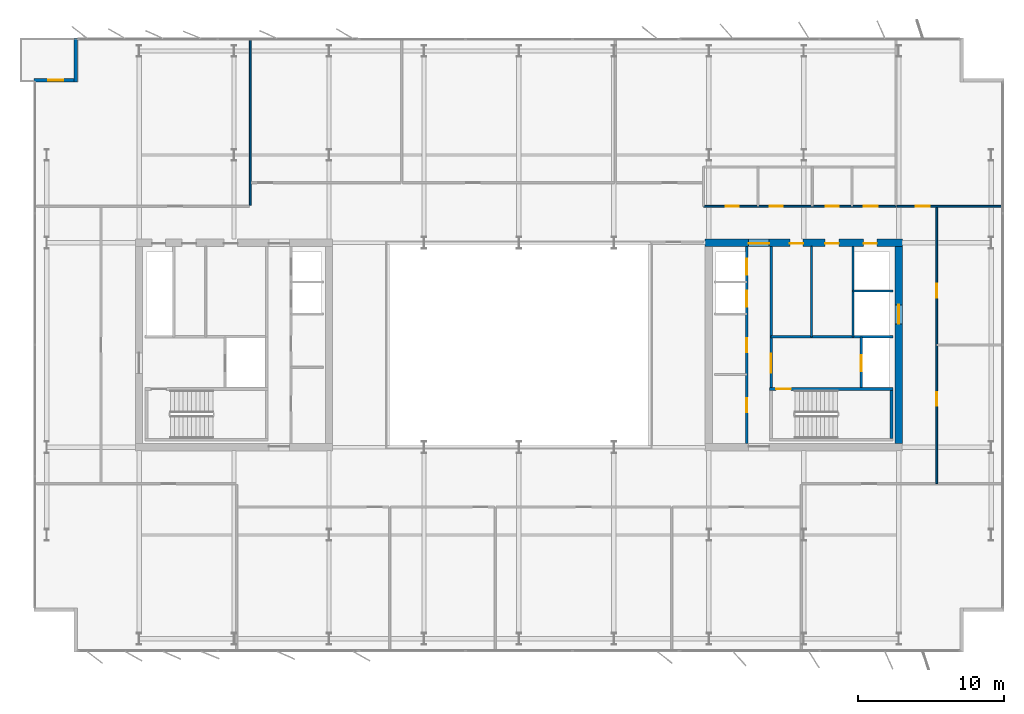
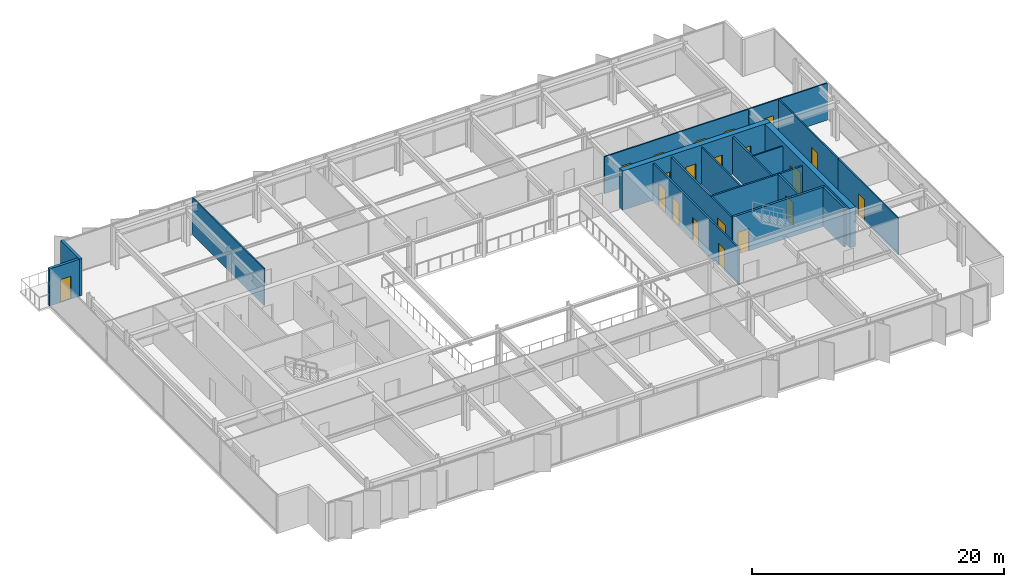
# One storey, part 18 of 23: 20 doors, 18 walls, 20 openings.
"""IFC4 building model written with IfcOpenShell, lengths in metres."""

from ifc_helpers import new_model, si_unit, direction, frame, frame_2d, origin, place, context, subcontext, project, spatial, rectangle, extrude, material, layer, layer_set, type_object, element, fill, save


model = new_model("IFC4")

# Units and contexts
model_context = context("Model", 3, precision=1e-05, world=origin(), true_north=direction((0.0, 1.0)))
body_context = subcontext(model_context, "Body", "Model", "MODEL_VIEW")
ifc_project = project(units=[si_unit("LENGTHUNIT", "METRE"), si_unit("AREAUNIT", "SQUARE_METRE"), si_unit("VOLUMEUNIT", "CUBIC_METRE"), si_unit("PLANEANGLEUNIT", "RADIAN"), si_unit("MASSUNIT", "GRAM", prefix="KILO")], contexts=[model_context])

# Site, building, storey
site_placement = place(None, origin())
site = spatial("IfcSite", under=ifc_project, at=site_placement, CompositionType="ELEMENT")
building_placement = place(site_placement, origin())
building = spatial("IfcBuilding", under=site, at=building_placement, Name="Putna Gate Headquarters", CompositionType="ELEMENT")
storey_placement = place(building_placement, frame((0.0, 0.0, 210.0)))
storey = spatial("IfcBuildingStorey", under=building, at=storey_placement, Name="L52", CompositionType="ELEMENT", Elevation=210.0)

# Wall, openings, doors
ifc_material_1 = material(Name="Concrete C50/60", Category="concrete")
ifc_layer_1 = layer(ifc_material_1, 0.5)
ifc_layer_set_1 = layer_set([ifc_layer_1], Name="Concrete C50/60")
wall_type_1 = type_object("IfcWallType", Name="WALL-CORE-500", PredefinedType="SHEAR", material=ifc_layer_set_1)
wall_1_placement = place(storey_placement, frame((51.75, 33.0, 0.0), z_axis=(0.0, 0.0, 1.0), x_axis=(1.0, 0.0, 0.0)))
wall_1 = element("IfcWall", 1, at=wall_1_placement, inside=storey, type_object=wall_type_1, Name="L52 EC Split Core Shear Wall N", PredefinedType="SHEAR", context=body_context, shape_type="SweptSolid", body=[
    extrude(rectangle(XDim=13.5, YDim=0.5, at=frame_2d((6.75, 0.0))), origin(), (0.0, 0.0, 1.0), 3.800048828125),
])
opening_1_placement = place(wall_1_placement, frame((2.969970703125, 0.0, 0.0)))
opening_1 = element("IfcOpeningElement", 2, at=opening_1_placement, cuts=wall_1, Name="Opening FDD-140", PredefinedType="OPENING", context=body_context, shape_type="SweptSolid", body=[
    extrude(rectangle(XDim=1.39990234375, YDim=2.199951171875, at=frame_2d((0.699951171875, 1.10009765625))), frame((0.0, 0.260009765625, 0.0), z_axis=(0.0, -1.0, 0.0), x_axis=(1.0, 0.0, 0.0)), (0.0, 0.0, 1.0), 0.52001953125),
])
opening_2_placement = place(wall_1_placement, frame((10.85009765625, 0.0, 0.0)))
opening_2 = element("IfcOpeningElement", 3, at=opening_2_placement, cuts=wall_1, Name="Opening RD-90", PredefinedType="OPENING", context=body_context, shape_type="SweptSolid", body=[
    extrude(rectangle(XDim=0.89990234375, YDim=2.14990234375, at=frame_2d((0.449951171875, 1.074951171875))), frame((0.0, 0.260009765625, 0.0), z_axis=(0.0, -1.0, 0.0), x_axis=(1.0, 0.0, 0.0)), (0.0, 0.0, 1.0), 0.52001953125),
])
opening_3_placement = place(wall_1_placement, frame((5.800048828125, 0.0, 0.0)))
opening_3 = element("IfcOpeningElement", 4, at=opening_3_placement, cuts=wall_1, Name="Opening IDS-90", PredefinedType="OPENING", context=body_context, shape_type="SweptSolid", body=[
    extrude(rectangle(XDim=0.89990234375, YDim=2.14990234375, at=frame_2d((0.449951171875, 1.074951171875))), frame((0.0, 0.260009765625, 0.0), z_axis=(0.0, -1.0, 0.0), x_axis=(1.0, 0.0, 0.0)), (0.0, 0.0, 1.0), 0.52001953125),
])
opening_4_placement = place(wall_1_placement, frame((8.199951171875, 0.0, 0.0)))
opening_4 = element("IfcOpeningElement", 5, at=opening_4_placement, cuts=wall_1, Name="Opening IDS-95", PredefinedType="OPENING", context=body_context, shape_type="SweptSolid", body=[
    extrude(rectangle(XDim=0.949951171875, YDim=2.14990234375, at=frame_2d((0.47509765625, 1.074951171875))), frame((0.0, 0.260009765625, 0.0), z_axis=(0.0, -1.0, 0.0), x_axis=(1.0, 0.0, 0.0)), (0.0, 0.0, 1.0), 0.52001953125),
])
ifc_material_2 = material(Name="Double steel fire door", Category="steel")
door_type_1 = type_object("IfcDoorType", Name="DOOR-FIRE-DBL-1400", OperationType="DOUBLE_DOOR_SINGLE_SWING", PredefinedType="DOOR", material=ifc_material_2)
door_1_placement = place(opening_1_placement, origin())
door_1 = element("IfcDoor", 6, at=door_1_placement, inside=storey, type_object=door_type_1, Name="L52 East Lift Lobby North Door", OperationType="DOUBLE_DOOR_SINGLE_SWING", OverallHeight=2.199951171875, OverallWidth=1.39990234375, PredefinedType="DOOR", context=body_context, shape_type="SweptSolid", body=[
    extrude(rectangle(XDim=1.39990234375, YDim=2.199951171875, at=frame_2d((0.699951171875, 1.10009765625))), frame((0.0, -0.02490234375, 0.0), z_axis=(0.0, -1.0, 0.0), x_axis=(1.0, 0.0, 0.0)), (0.0, 0.0, 1.0), 0.050048828125),
])
fill(opening_1, door_1)
ifc_material_3 = material(Name="Fire-rated utility door")
door_type_2 = type_object("IfcDoorType", Name="DOOR-INT-900", OperationType="NOTDEFINED", PredefinedType="DOOR", material=ifc_material_3)
door_2_placement = place(opening_3_placement, origin())
door_2 = element("IfcDoor", 7, at=door_2_placement, inside=storey, type_object=door_type_2, Name="L52 Telecoms Plant Door", OperationType="SINGLE_SWING_LEFT", OverallHeight=2.14990234375, OverallWidth=0.89990234375, PredefinedType="DOOR", context=body_context, shape_type="SweptSolid", body=[
    extrude(rectangle(XDim=0.89990234375, YDim=2.14990234375, at=frame_2d((0.449951171875, 1.074951171875))), frame((0.0, -0.02490234375, 0.0), z_axis=(0.0, -1.0, 0.0), x_axis=(1.0, 0.0, 0.0)), (0.0, 0.0, 1.0), 0.050048828125),
])
fill(opening_3, door_2)
ifc_material_4 = material(Name="Fire-rated service timber door", Category="wood")
door_type_3 = type_object("IfcDoorType", Name="DOOR-INT-950", OperationType="NOTDEFINED", PredefinedType="DOOR", material=ifc_material_4)
door_3_placement = place(opening_4_placement, origin())
door_3 = element("IfcDoor", 8, at=door_3_placement, inside=storey, type_object=door_type_3, Name="L52 Supplies Store Door", OperationType="SINGLE_SWING_RIGHT", OverallHeight=2.14990234375, OverallWidth=0.949951171875, PredefinedType="DOOR", context=body_context, shape_type="SweptSolid", body=[
    extrude(rectangle(XDim=0.949951171875, YDim=2.14990234375, at=frame_2d((0.47509765625, 1.074951171875))), frame((0.0, -0.02490234375, 0.0), z_axis=(0.0, -1.0, 0.0), x_axis=(1.0, 0.0, 0.0)), (0.0, 0.0, 1.0), 0.050048828125),
])
fill(opening_4, door_3)
ifc_material_5 = material(Name="Steel riser access fire door", Category="steel")
door_type_4 = type_object("IfcDoorType", Name="DOOR-RISER-900", OperationType="NOTDEFINED", PredefinedType="DOOR", material=ifc_material_5)
door_4_placement = place(opening_2_placement, origin())
door_4 = element("IfcDoor", 9, at=door_4_placement, inside=storey, type_object=door_type_4, Name="L52 East Riser Access Door", OperationType="SINGLE_SWING_LEFT", OverallHeight=2.14990234375, OverallWidth=0.89990234375, PredefinedType="DOOR", context=body_context, shape_type="SweptSolid", body=[
    extrude(rectangle(XDim=0.89990234375, YDim=2.14990234375, at=frame_2d((0.449951171875, 1.074951171875))), frame((0.0, -0.02490234375, 0.0), z_axis=(0.0, -1.0, 0.0), x_axis=(1.0, 0.0, 0.0)), (0.0, 0.0, 1.0), 0.050048828125),
])
fill(opening_2, door_4)

# Wall, opening, door
wall_2_placement = place(storey_placement, frame((65.0, 19.25, 0.0), z_axis=(0.0, 0.0, 1.0), x_axis=(0.0, 1.0, 0.0)))
wall_2 = element("IfcWall", 10, at=wall_2_placement, inside=storey, type_object=wall_type_1, Name="L52 EC Split Core Shear Wall E", PredefinedType="SHEAR", context=body_context, shape_type="SweptSolid", body=[
    extrude(rectangle(XDim=13.5, YDim=0.5, at=frame_2d((6.75, 0.0))), origin(), (0.0, 0.0, 1.0), 3.800048828125),
])
opening_5_placement = place(wall_2_placement, frame((8.199951171875, 0.0, 0.0)))
opening_5 = element("IfcOpeningElement", 11, at=opening_5_placement, cuts=wall_2, Name="Opening LD-2", PredefinedType="OPENING", context=body_context, shape_type="SweptSolid", body=[
    extrude(rectangle(XDim=1.300048828125, YDim=2.199951171875, at=frame_2d((0.64990234375, 1.10009765625))), frame((0.0, 0.260009765625, 0.0), z_axis=(0.0, -1.0, 0.0), x_axis=(1.0, 0.0, 0.0)), (0.0, 0.0, 1.0), 0.52001953125),
])
ifc_material_6 = material(Name="Heavy-duty goods lift sliding landing door")
door_type_5 = type_object("IfcDoorType", Name="DOOR-LIFT-1300", OperationType="DOUBLE_DOOR_SLIDING", PredefinedType="DOOR", material=ifc_material_6)
door_5_placement = place(opening_5_placement, origin())
door_5 = element("IfcDoor", 12, at=door_5_placement, inside=storey, type_object=door_type_5, Name="L52 Goods Lift Landing Door LD-15", OperationType="DOUBLE_DOOR_SLIDING", OverallHeight=2.199951171875, OverallWidth=1.300048828125, PredefinedType="DOOR", context=body_context, shape_type="SweptSolid", body=[
    extrude(rectangle(XDim=1.300048828125, YDim=2.199951171875, at=frame_2d((0.64990234375, 1.10009765625))), frame((0.0, 0.02490234375, 0.0), z_axis=(0.0, -1.0, 0.0), x_axis=(1.0, 0.0, 0.0)), (0.0, 0.0, 1.0), 0.050048828125),
])
fill(opening_5, door_5)

# Wall
ifc_material_7 = material(Name="Precast concrete C40/50", Category="concrete")
ifc_layer_2 = layer(ifc_material_7, 0.239990234375)
ifc_layer_set_2 = layer_set([ifc_layer_2], Name="Precast concrete C40/50")
wall_type_2 = type_object("IfcWallType", Name="WALL-EXT-TERR-240", PredefinedType="STANDARD", material=ifc_layer_set_2)
wall_3_placement = place(storey_placement, frame((8.679931640625, 44.0, 0.0), z_axis=(0.0, 0.0, 1.0), x_axis=(0.0, 1.0, 0.0)))
element("IfcWall", 13, at=wall_3_placement, inside=storey, type_object=wall_type_2, Name="L52 Corner Notch Return Wall NW-V", PredefinedType="STANDARD", context=body_context, shape_type="SweptSolid", body=[
    extrude(rectangle(XDim=3.0, YDim=0.239990234375, at=frame_2d((1.5, 0.0))), origin(), (0.0, 0.0, 1.0), 3.580078125),
])

# Wall, opening, door
wall_4_placement = place(storey_placement, frame((5.800048828125, 44.1201171875, 0.0), z_axis=(0.0, 0.0, 1.0), x_axis=(1.0, 0.0, 0.0)))
wall_4 = element("IfcWall", 14, at=wall_4_placement, inside=storey, type_object=wall_type_2, Name="L52 Corner Notch Return Wall NW-H", PredefinedType="STANDARD", context=body_context, shape_type="SweptSolid", body=[
    extrude(rectangle(XDim=3.0, YDim=0.239990234375, at=frame_2d((1.5, 0.0))), origin(), (0.0, 0.0, 1.0), 3.580078125),
])
opening_6_placement = place(wall_4_placement, frame((1.0, 0.0, 0.0)))
opening_6 = element("IfcOpeningElement", 15, at=opening_6_placement, cuts=wall_4, Name="Opening TRD-1", PredefinedType="OPENING", context=body_context, shape_type="SweptSolid", body=[
    extrude(rectangle(XDim=1.0, YDim=2.199951171875, at=frame_2d((0.5, 1.10009765625))), frame((0.0, 0.1298828125, 0.0), z_axis=(0.0, -1.0, 0.0), x_axis=(1.0, 0.0, 0.0)), (0.0, 0.0, 1.0), 0.260009765625),
])
ifc_material_8 = material(Name="Thermally broken bronze glazed terrace door")
door_type_6 = type_object("IfcDoorType", Name="DOOR-TERR-EXT-1000", OperationType="NOTDEFINED", PredefinedType="DOOR", material=ifc_material_8)
door_6_placement = place(opening_6_placement, origin())
door_6 = element("IfcDoor", 16, at=door_6_placement, inside=storey, type_object=door_type_6, Name="L52 Spiral Sky Terrace Door NW", OperationType="SINGLE_SWING_RIGHT", OverallHeight=2.199951171875, OverallWidth=1.0, PredefinedType="DOOR", context=body_context, shape_type="SweptSolid", body=[
    extrude(rectangle(XDim=1.0, YDim=2.199951171875, at=frame_2d((0.5, 1.10009765625))), frame((0.0, 0.02490234375, 0.0), z_axis=(0.0, -1.0, 0.0), x_axis=(1.0, 0.0, 0.0)), (0.0, 0.0, 1.0), 0.050048828125),
])
fill(opening_6, door_6)

# Walls
ifc_material_9 = material(Name="Acoustic gypsum board on metal stud")
ifc_layer_3 = layer(ifc_material_9, 0.1201171875)
ifc_layer_set_3 = layer_set([ifc_layer_3], Name="Acoustic gypsum board on metal stud")
wall_type_3 = type_object("IfcWallType", Name="WALL-PART-120", PredefinedType="PARTITIONING", material=ifc_layer_set_3)
wall_5_placement = place(storey_placement, frame((20.60888671875, 35.56005859375, 0.0), z_axis=(0.0, 0.0, 1.0), x_axis=(0.0, 1.0, 0.0)))
element("IfcWall", 17, at=wall_5_placement, inside=storey, type_object=wall_type_3, Name="L52 Interior Wall PART-L52-NB-DIV-01", PredefinedType="PARTITIONING", context=body_context, shape_type="SweptSolid", body=[
    extrude(rectangle(XDim=11.419921875, YDim=0.1201171875, at=frame_2d((5.7099609375, 0.0))), origin(), (0.0, 0.0, 1.0), 3.580078125),
])
ifc_material_10 = material(Name="Fire-rated shaftwall gypsum board on metal stud")
ifc_layer_4 = layer(ifc_material_10, 0.1201171875)
ifc_layer_set_4 = layer_set([ifc_layer_4], Name="Fire-rated shaftwall gypsum board on metal stud")
wall_type_4 = type_object("IfcWallType", Name="WALL-PART-120-EI120", PredefinedType="PARTITIONING", material=ifc_layer_set_4)
wall_6_placement = place(storey_placement, frame((61.8701171875, 29.699951171875, 0.0), z_axis=(0.0, 0.0, 1.0), x_axis=(1.0, 0.0, 0.0)))
element("IfcWall", 18, at=wall_6_placement, inside=storey, type_object=wall_type_4, Name="L52 Interior Wall CWINT-L52-EC-LF15-N", PredefinedType="PARTITIONING", context=body_context, shape_type="SweptSolid", body=[
    extrude(rectangle(XDim=2.72998046875, YDim=0.1201171875, at=frame_2d((1.364990234375, 0.0))), origin(), (0.0, 0.0, 1.0), 3.580078125),
])
ifc_material_11 = material(Name="Fire-rated gypsum board on metal stud")
ifc_layer_5 = layer(ifc_material_11, 0.1201171875)
ifc_layer_set_5 = layer_set([ifc_layer_5], Name="Fire-rated gypsum board on metal stud")
wall_type_5 = type_object("IfcWallType", Name="WALL-PART-120-RATED", PredefinedType="PARTITIONING", material=ifc_layer_set_5)
wall_7_placement = place(storey_placement, frame((59.02001953125, 26.56005859375, 0.0), z_axis=(0.0, 0.0, 1.0), x_axis=(0.0, 1.0, 0.0)))
element("IfcWall", 19, at=wall_7_placement, inside=storey, type_object=wall_type_5, Name="L52 Interior Wall CWINT-L52-EC-K1-DIV", PredefinedType="PARTITIONING", context=body_context, shape_type="SweptSolid", body=[
    extrude(rectangle(XDim=6.18994140625, YDim=0.1201171875, at=frame_2d((3.094970703125, 0.0))), origin(), (0.0, 0.0, 1.0), 3.580078125),
])

# Wall, openings, doors
wall_8_placement = place(storey_placement, frame((51.639892578125, 35.5, 0.0), z_axis=(0.0, 0.0, 1.0), x_axis=(1.0, 0.0, 0.0)))
wall_8 = element("IfcWall", 20, at=wall_8_placement, inside=storey, type_object=wall_type_5, Name="L52 Interior Wall PART-L52-SAN-CW", PredefinedType="PARTITIONING", context=body_context, shape_type="SweptSolid", body=[
    extrude(rectangle(XDim=13.16015625, YDim=0.1201171875, at=frame_2d((6.580078125, 0.0))), origin(), (0.0, 0.0, 1.0), 3.580078125),
])
opening_7_placement = place(wall_8_placement, frame((1.510009765625, 0.0, 0.0)))
opening_7 = element("IfcOpeningElement", 21, at=opening_7_placement, cuts=wall_8, Name="Opening FD-90", PredefinedType="OPENING", context=body_context, shape_type="SweptSolid", body=[
    extrude(rectangle(XDim=0.89990234375, YDim=2.14990234375, at=frame_2d((0.449951171875, 1.074951171875))), frame((0.0, 0.070068359375, 0.0), z_axis=(0.0, -1.0, 0.0), x_axis=(1.0, 0.0, 0.0)), (0.0, 0.0, 1.0), 0.14013671875),
])
opening_8_placement = place(wall_8_placement, frame((4.510009765625, 0.0, 0.0)))
opening_8 = element("IfcOpeningElement", 22, at=opening_8_placement, cuts=wall_8, Name="Opening FD-90", PredefinedType="OPENING", context=body_context, shape_type="SweptSolid", body=[
    extrude(rectangle(XDim=0.89990234375, YDim=2.14990234375, at=frame_2d((0.449951171875, 1.074951171875))), frame((0.0, 0.070068359375, 0.0), z_axis=(0.0, -1.0, 0.0), x_axis=(1.0, 0.0, 0.0)), (0.0, 0.0, 1.0), 0.14013671875),
])
opening_9_placement = place(wall_8_placement, frame((8.360107421875, 0.0, 0.0)))
opening_9 = element("IfcOpeningElement", 23, at=opening_9_placement, cuts=wall_8, Name="Opening FD-90", PredefinedType="OPENING", context=body_context, shape_type="SweptSolid", body=[
    extrude(rectangle(XDim=0.89990234375, YDim=2.14990234375, at=frame_2d((0.449951171875, 1.074951171875))), frame((0.0, 0.070068359375, 0.0), z_axis=(0.0, -1.0, 0.0), x_axis=(1.0, 0.0, 0.0)), (0.0, 0.0, 1.0), 0.14013671875),
])
opening_10_placement = place(wall_8_placement, frame((10.9599609375, 0.0, 0.0)))
opening_10 = element("IfcOpeningElement", 24, at=opening_10_placement, cuts=wall_8, Name="Opening FD-95", PredefinedType="OPENING", context=body_context, shape_type="SweptSolid", body=[
    extrude(rectangle(XDim=0.949951171875, YDim=2.14990234375, at=frame_2d((0.47509765625, 1.074951171875))), frame((0.0, 0.070068359375, 0.0), z_axis=(0.0, -1.0, 0.0), x_axis=(1.0, 0.0, 0.0)), (0.0, 0.0, 1.0), 0.14013671875),
])
ifc_material_12 = material(Name="Acoustic washroom fire door")
door_type_7 = type_object("IfcDoorType", Name="DOOR-FIRE-900", OperationType="NOTDEFINED", PredefinedType="DOOR", material=ifc_material_12)
door_7_placement = place(opening_7_placement, origin())
door_7 = element("IfcDoor", 25, at=door_7_placement, inside=storey, type_object=door_type_7, Name="L52 Washroom Male Door", OperationType="SINGLE_SWING_RIGHT", OverallHeight=2.14990234375, OverallWidth=0.89990234375, PredefinedType="DOOR", context=body_context, shape_type="SweptSolid", body=[
    extrude(rectangle(XDim=0.89990234375, YDim=2.14990234375, at=frame_2d((0.449951171875, 1.074951171875))), frame((0.0, 0.02490234375, 0.0), z_axis=(0.0, -1.0, 0.0), x_axis=(1.0, 0.0, 0.0)), (0.0, 0.0, 1.0), 0.050048828125),
])
fill(opening_7, door_7)
door_8_placement = place(opening_8_placement, origin())
door_8 = element("IfcDoor", 26, at=door_8_placement, inside=storey, type_object=door_type_7, Name="L52 Washroom Female Door", OperationType="SINGLE_SWING_LEFT", OverallHeight=2.14990234375, OverallWidth=0.89990234375, PredefinedType="DOOR", context=body_context, shape_type="SweptSolid", body=[
    extrude(rectangle(XDim=0.89990234375, YDim=2.14990234375, at=frame_2d((0.449951171875, 1.074951171875))), frame((0.0, 0.02490234375, 0.0), z_axis=(0.0, -1.0, 0.0), x_axis=(1.0, 0.0, 0.0)), (0.0, 0.0, 1.0), 0.050048828125),
])
fill(opening_8, door_8)
door_9_placement = place(opening_9_placement, origin())
door_9 = element("IfcDoor", 27, at=door_9_placement, inside=storey, type_object=door_type_7, Name="L52 Accessible WC Door", OperationType="SINGLE_SWING_RIGHT", OverallHeight=2.14990234375, OverallWidth=0.89990234375, PredefinedType="DOOR", context=body_context, shape_type="SweptSolid", body=[
    extrude(rectangle(XDim=0.89990234375, YDim=2.14990234375, at=frame_2d((0.449951171875, 1.074951171875))), frame((0.0, 0.02490234375, 0.0), z_axis=(0.0, -1.0, 0.0), x_axis=(1.0, 0.0, 0.0)), (0.0, 0.0, 1.0), 0.050048828125),
])
fill(opening_9, door_9)
ifc_material_13 = material(Name="Acoustic timber fire door", Category="wood")
door_type_8 = type_object("IfcDoorType", Name="DOOR-FIRE-950", OperationType="NOTDEFINED", PredefinedType="DOOR", material=ifc_material_13)
door_10_placement = place(opening_10_placement, origin())
door_10 = element("IfcDoor", 28, at=door_10_placement, inside=storey, type_object=door_type_8, Name="L52 Staff Pantry and Tea Point Door", OperationType="SINGLE_SWING_LEFT", OverallHeight=2.14990234375, OverallWidth=0.949951171875, PredefinedType="DOOR", context=body_context, shape_type="SweptSolid", body=[
    extrude(rectangle(XDim=0.949951171875, YDim=2.14990234375, at=frame_2d((0.47509765625, 1.074951171875))), frame((0.0, 0.02490234375, 0.0), z_axis=(0.0, -1.0, 0.0), x_axis=(1.0, 0.0, 0.0)), (0.0, 0.0, 1.0), 0.050048828125),
])
fill(opening_10, door_10)

# Wall, opening, door
wall_9_placement = place(storey_placement, frame((64.860107421875, 35.5, 0.0), z_axis=(0.0, 0.0, 1.0), x_axis=(1.0, 0.0, 0.0)))
wall_9 = element("IfcWall", 29, at=wall_9_placement, inside=storey, type_object=wall_type_5, Name="L52 Interior Wall PART-L52-NB-CW-05", PredefinedType="PARTITIONING", context=body_context, shape_type="SweptSolid", body=[
    extrude(rectangle(XDim=7.159912109375, YDim=0.1201171875, at=frame_2d((3.580078125, 0.0))), origin(), (0.0, 0.0, 1.0), 3.580078125),
])
opening_11_placement = place(wall_9_placement, frame((1.31005859375, 0.0, 0.0)))
opening_11 = element("IfcOpeningElement", 30, at=opening_11_placement, cuts=wall_9, Name="Opening FD-95", PredefinedType="OPENING", context=body_context, shape_type="SweptSolid", body=[
    extrude(rectangle(XDim=0.949951171875, YDim=2.14990234375, at=frame_2d((0.47509765625, 1.074951171875))), frame((0.0, 0.070068359375, 0.0), z_axis=(0.0, -1.0, 0.0), x_axis=(1.0, 0.0, 0.0)), (0.0, 0.0, 1.0), 0.14013671875),
])
door_11_placement = place(opening_11_placement, origin())
door_11 = element("IfcDoor", 31, at=door_11_placement, inside=storey, type_object=door_type_8, Name="L52 Conference Meeting Room 2 Door", OperationType="SINGLE_SWING_RIGHT", OverallHeight=2.14990234375, OverallWidth=0.949951171875, PredefinedType="DOOR", context=body_context, shape_type="SweptSolid", body=[
    extrude(rectangle(XDim=0.949951171875, YDim=2.14990234375, at=frame_2d((0.47509765625, 1.074951171875))), frame((0.0, 0.02490234375, 0.0), z_axis=(0.0, -1.0, 0.0), x_axis=(1.0, 0.0, 0.0)), (0.0, 0.0, 1.0), 0.050048828125),
])
fill(opening_11, door_11)

wall_10_placement = place(storey_placement, frame((67.60009765625, 16.5, 0.0), z_axis=(0.0, 0.0, 1.0), x_axis=(0.0, 1.0, 0.0)))
wall_10 = element("IfcWall", 32, at=wall_10_placement, inside=storey, type_object=wall_type_5, Name="L52 Interior Wall PART-L52-EW-CW-1", PredefinedType="PARTITIONING", context=body_context, shape_type="SweptSolid", body=[
    extrude(rectangle(XDim=9.5, YDim=0.1201171875, at=frame_2d((4.75, 0.0))), origin(), (0.0, 0.0, 1.0), 3.580078125),
])
opening_12_placement = place(wall_10_placement, frame((5.324951171875, 0.0, 0.0)))
opening_12 = element("IfcOpeningElement", 33, at=opening_12_placement, cuts=wall_10, Name="Opening FD-95", PredefinedType="OPENING", context=body_context, shape_type="SweptSolid", body=[
    extrude(rectangle(XDim=0.949951171875, YDim=2.14990234375, at=frame_2d((0.47509765625, 1.074951171875))), frame((0.0, 0.070068359375, 0.0), z_axis=(0.0, -1.0, 0.0), x_axis=(1.0, 0.0, 0.0)), (0.0, 0.0, 1.0), 0.14013671875),
])
door_12_placement = place(opening_12_placement, origin())
door_12 = element("IfcDoor", 34, at=door_12_placement, inside=storey, type_object=door_type_8, Name="L52 East Advisory Office 1 Door", OperationType="SINGLE_SWING_RIGHT", OverallHeight=2.14990234375, OverallWidth=0.949951171875, PredefinedType="DOOR", context=body_context, shape_type="SweptSolid", body=[
    extrude(rectangle(XDim=0.949951171875, YDim=2.14990234375, at=frame_2d((0.47509765625, 1.074951171875))), frame((0.0, 0.02490234375, 0.0), z_axis=(0.0, -1.0, 0.0), x_axis=(1.0, 0.0, 0.0)), (0.0, 0.0, 1.0), 0.050048828125),
])
fill(opening_12, door_12)

wall_11_placement = place(storey_placement, frame((67.60009765625, 26.0, 0.0), z_axis=(0.0, 0.0, 1.0), x_axis=(0.0, 1.0, 0.0)))
wall_11 = element("IfcWall", 35, at=wall_11_placement, inside=storey, type_object=wall_type_5, Name="L52 Interior Wall PART-L52-EW-CW-2", PredefinedType="PARTITIONING", context=body_context, shape_type="SweptSolid", body=[
    extrude(rectangle(XDim=9.5, YDim=0.1201171875, at=frame_2d((4.75, 0.0))), origin(), (0.0, 0.0, 1.0), 3.580078125),
])
opening_13_placement = place(wall_11_placement, frame((3.22509765625, 0.0, 0.0)))
opening_13 = element("IfcOpeningElement", 36, at=opening_13_placement, cuts=wall_11, Name="Opening FD-95", PredefinedType="OPENING", context=body_context, shape_type="SweptSolid", body=[
    extrude(rectangle(XDim=0.949951171875, YDim=2.14990234375, at=frame_2d((0.47509765625, 1.074951171875))), frame((0.0, 0.070068359375, 0.0), z_axis=(0.0, -1.0, 0.0), x_axis=(1.0, 0.0, 0.0)), (0.0, 0.0, 1.0), 0.14013671875),
])
door_13_placement = place(opening_13_placement, origin())
door_13 = element("IfcDoor", 37, at=door_13_placement, inside=storey, type_object=door_type_8, Name="L52 East Advisory Office 2 Door", OperationType="SINGLE_SWING_LEFT", OverallHeight=2.14990234375, OverallWidth=0.949951171875, PredefinedType="DOOR", context=body_context, shape_type="SweptSolid", body=[
    extrude(rectangle(XDim=0.949951171875, YDim=2.14990234375, at=frame_2d((0.47509765625, 1.074951171875))), frame((0.0, 0.02490234375, 0.0), z_axis=(0.0, -1.0, 0.0), x_axis=(1.0, 0.0, 0.0)), (0.0, 0.0, 1.0), 0.050048828125),
])
fill(opening_13, door_13)

# Wall, openings, doors
ifc_material_14 = material(Name="Concrete C40/50", Category="concrete")
ifc_layer_6 = layer(ifc_material_14, 0.159912109375)
ifc_layer_set_6 = layer_set([ifc_layer_6], Name="Concrete C40/50")
wall_type_6 = type_object("IfcWallType", Name="WALL-SHAFT-160", PredefinedType="STANDARD", material=ifc_layer_set_6)
wall_12_placement = place(storey_placement, frame((54.60009765625, 19.25, 0.0), z_axis=(0.0, 0.0, 1.0), x_axis=(0.0, 1.0, 0.0)))
wall_12 = element("IfcWall", 38, at=wall_12_placement, inside=storey, type_object=wall_type_6, Name="L52 Interior Wall CWINT-L52-EC-PL-WALL", PredefinedType="STANDARD", context=body_context, shape_type="SweptSolid", body=[
    extrude(rectangle(XDim=13.5, YDim=0.159912109375, at=frame_2d((6.75, 0.0))), origin(), (0.0, 0.0, 1.0), 3.580078125),
])
opening_14_placement = place(wall_12_placement, frame((2.14990234375, 0.0, 0.0)))
opening_14 = element("IfcOpeningElement", 39, at=opening_14_placement, cuts=wall_12, Name="Opening IDS-95", PredefinedType="OPENING", context=body_context, shape_type="SweptSolid", body=[
    extrude(rectangle(XDim=0.949951171875, YDim=2.14990234375, at=frame_2d((0.47509765625, 1.074951171875))), frame((0.0, 0.08984375, 0.0), z_axis=(0.0, -1.0, 0.0), x_axis=(1.0, 0.0, 0.0)), (0.0, 0.0, 1.0), 0.179931640625),
])
opening_15_placement = place(wall_12_placement, frame((6.25, 0.0, 0.0)))
opening_15 = element("IfcOpeningElement", 40, at=opening_15_placement, cuts=wall_12, Name="Opening IDS-95", PredefinedType="OPENING", context=body_context, shape_type="SweptSolid", body=[
    extrude(rectangle(XDim=0.949951171875, YDim=2.14990234375, at=frame_2d((0.47509765625, 1.074951171875))), frame((0.0, 0.08984375, 0.0), z_axis=(0.0, -1.0, 0.0), x_axis=(1.0, 0.0, 0.0)), (0.0, 0.0, 1.0), 0.179931640625),
])
opening_16_placement = place(wall_12_placement, frame((9.35009765625, 0.0, 0.0)))
opening_16 = element("IfcOpeningElement", 41, at=opening_16_placement, cuts=wall_12, Name="Opening LD-1", PredefinedType="OPENING", context=body_context, shape_type="SweptSolid", body=[
    extrude(rectangle(XDim=1.10009765625, YDim=2.199951171875, at=frame_2d((0.550048828125, 1.10009765625))), frame((0.0, 0.08984375, 0.0), z_axis=(0.0, -1.0, 0.0), x_axis=(1.0, 0.0, 0.0)), (0.0, 0.0, 1.0), 0.179931640625),
])
opening_17_placement = place(wall_12_placement, frame((11.550048828125, 0.0, 0.0)))
opening_17 = element("IfcOpeningElement", 42, at=opening_17_placement, cuts=wall_12, Name="Opening LD-1", PredefinedType="OPENING", context=body_context, shape_type="SweptSolid", body=[
    extrude(rectangle(XDim=1.10009765625, YDim=2.199951171875, at=frame_2d((0.550048828125, 1.10009765625))), frame((0.0, 0.08984375, 0.0), z_axis=(0.0, -1.0, 0.0), x_axis=(1.0, 0.0, 0.0)), (0.0, 0.0, 1.0), 0.179931640625),
])
door_14_placement = place(opening_14_placement, origin())
door_14 = element("IfcDoor", 43, at=door_14_placement, inside=storey, type_object=door_type_3, Name="L52 Executive Archive Door", OperationType="SINGLE_SWING_RIGHT", OverallHeight=2.14990234375, OverallWidth=0.949951171875, PredefinedType="DOOR", context=body_context, shape_type="SweptSolid", body=[
    extrude(rectangle(XDim=0.949951171875, YDim=2.14990234375, at=frame_2d((0.47509765625, 1.074951171875))), frame((0.0, 0.02490234375, 0.0), z_axis=(0.0, -1.0, 0.0), x_axis=(1.0, 0.0, 0.0)), (0.0, 0.0, 1.0), 0.050048828125),
])
fill(opening_14, door_14)
door_15_placement = place(opening_15_placement, origin())
door_15 = element("IfcDoor", 44, at=door_15_placement, inside=storey, type_object=door_type_3, Name="L52 Comms Distribution Door", OperationType="SINGLE_SWING_LEFT", OverallHeight=2.14990234375, OverallWidth=0.949951171875, PredefinedType="DOOR", context=body_context, shape_type="SweptSolid", body=[
    extrude(rectangle(XDim=0.949951171875, YDim=2.14990234375, at=frame_2d((0.47509765625, 1.074951171875))), frame((0.0, 0.02490234375, 0.0), z_axis=(0.0, -1.0, 0.0), x_axis=(1.0, 0.0, 0.0)), (0.0, 0.0, 1.0), 0.050048828125),
])
fill(opening_15, door_15)
ifc_material_15 = material(Name="Brushed bronze stainless lift landing door")
door_type_9 = type_object("IfcDoorType", Name="DOOR-LIFT-1100", OperationType="DOUBLE_DOOR_SLIDING", PredefinedType="DOOR", material=ifc_material_15)
door_16_placement = place(opening_16_placement, origin())
door_16 = element("IfcDoor", 45, at=door_16_placement, inside=storey, type_object=door_type_9, Name="L52 Lift Landing Door LD-11", OperationType="DOUBLE_DOOR_SLIDING", OverallHeight=2.199951171875, OverallWidth=1.10009765625, PredefinedType="DOOR", context=body_context, shape_type="SweptSolid", body=[
    extrude(rectangle(XDim=1.10009765625, YDim=2.199951171875, at=frame_2d((0.550048828125, 1.10009765625))), frame((0.0, 0.02490234375, 0.0), z_axis=(0.0, -1.0, 0.0), x_axis=(1.0, 0.0, 0.0)), (0.0, 0.0, 1.0), 0.050048828125),
])
fill(opening_16, door_16)
door_17_placement = place(opening_17_placement, origin())
door_17 = element("IfcDoor", 46, at=door_17_placement, inside=storey, type_object=door_type_9, Name="L52 Lift Landing Door LD-12", OperationType="DOUBLE_DOOR_SLIDING", OverallHeight=2.199951171875, OverallWidth=1.10009765625, PredefinedType="DOOR", context=body_context, shape_type="SweptSolid", body=[
    extrude(rectangle(XDim=1.10009765625, YDim=2.199951171875, at=frame_2d((0.550048828125, 1.10009765625))), frame((0.0, 0.02490234375, 0.0), z_axis=(0.0, -1.0, 0.0), x_axis=(1.0, 0.0, 0.0)), (0.0, 0.0, 1.0), 0.050048828125),
])
fill(opening_17, door_17)

# Wall, opening, door
wall_13_placement = place(storey_placement, frame((56.260009765625, 23.090087890625, 0.0), z_axis=(0.0, 0.0, 1.0), x_axis=(0.0, 1.0, 0.0)))
wall_13 = element("IfcWall", 47, at=wall_13_placement, inside=storey, type_object=wall_type_6, Name="L52 Interior Wall CWINT-L52-EC-LOB-E", PredefinedType="STANDARD", context=body_context, shape_type="SweptSolid", body=[
    extrude(rectangle(XDim=9.659912109375, YDim=0.159912109375, at=frame_2d((4.830078125, 0.0))), origin(), (0.0, 0.0, 1.0), 3.580078125),
])
opening_18_placement = place(wall_13_placement, frame((1.010009765625, 0.0, 0.0)))
opening_18 = element("IfcOpeningElement", 48, at=opening_18_placement, cuts=wall_13, Name="Opening FDD-130", PredefinedType="OPENING", context=body_context, shape_type="SweptSolid", body=[
    extrude(rectangle(XDim=1.300048828125, YDim=2.199951171875, at=frame_2d((0.64990234375, 1.10009765625))), frame((0.0, 0.08984375, 0.0), z_axis=(0.0, -1.0, 0.0), x_axis=(1.0, 0.0, 0.0)), (0.0, 0.0, 1.0), 0.179931640625),
])
ifc_material_16 = material(Name="Double steel lobby fire door", Category="steel")
door_type_10 = type_object("IfcDoorType", Name="DOOR-FIRE-DBL-1300", OperationType="DOUBLE_DOOR_SINGLE_SWING", PredefinedType="DOOR", material=ifc_material_16)
door_18_placement = place(opening_18_placement, origin())
door_18 = element("IfcDoor", 49, at=door_18_placement, inside=storey, type_object=door_type_10, Name="L52 East Firefighting Lobby Door", OperationType="DOUBLE_DOOR_SINGLE_SWING", OverallHeight=2.199951171875, OverallWidth=1.300048828125, PredefinedType="DOOR", context=body_context, shape_type="SweptSolid", body=[
    extrude(rectangle(XDim=1.300048828125, YDim=2.199951171875, at=frame_2d((0.64990234375, 1.10009765625))), frame((0.0, 0.02490234375, 0.0), z_axis=(0.0, -1.0, 0.0), x_axis=(1.0, 0.0, 0.0)), (0.0, 0.0, 1.0), 0.050048828125),
])
fill(opening_18, door_18)

wall_14_placement = place(storey_placement, frame((62.429931640625, 23.090087890625, 0.0), z_axis=(0.0, 0.0, 1.0), x_axis=(0.0, 1.0, 0.0)))
wall_14 = element("IfcWall", 50, at=wall_14_placement, inside=storey, type_object=wall_type_6, Name="L52 Interior Wall CWINT-L52-EC-LF14-W", PredefinedType="STANDARD", context=body_context, shape_type="SweptSolid", body=[
    extrude(rectangle(XDim=3.469970703125, YDim=0.159912109375, at=frame_2d((1.73486328125, 0.0))), origin(), (0.0, 0.0, 1.0), 3.580078125),
])
opening_19_placement = place(wall_14_placement, frame((1.10009765625, 0.0, 0.0)))
opening_19 = element("IfcOpeningElement", 51, at=opening_19_placement, cuts=wall_14, Name="Opening LD-1", PredefinedType="OPENING", context=body_context, shape_type="SweptSolid", body=[
    extrude(rectangle(XDim=1.10009765625, YDim=2.199951171875, at=frame_2d((0.550048828125, 1.10009765625))), frame((0.0, 0.08984375, 0.0), z_axis=(0.0, -1.0, 0.0), x_axis=(1.0, 0.0, 0.0)), (0.0, 0.0, 1.0), 0.179931640625),
])
door_19_placement = place(opening_19_placement, origin())
door_19 = element("IfcDoor", 52, at=door_19_placement, inside=storey, type_object=door_type_9, Name="L52 Lift Landing Door LD-14", OperationType="DOUBLE_DOOR_SLIDING", OverallHeight=2.199951171875, OverallWidth=1.10009765625, PredefinedType="DOOR", context=body_context, shape_type="SweptSolid", body=[
    extrude(rectangle(XDim=1.10009765625, YDim=2.199951171875, at=frame_2d((0.550048828125, 1.10009765625))), frame((0.0, 0.02490234375, 0.0), z_axis=(0.0, -1.0, 0.0), x_axis=(1.0, 0.0, 0.0)), (0.0, 0.0, 1.0), 0.050048828125),
])
fill(opening_19, door_19)

# Walls
wall_15_placement = place(storey_placement, frame((56.260009765625, 26.56005859375, 0.0), z_axis=(0.0, 0.0, 1.0), x_axis=(1.0, 0.0, 0.0)))
element("IfcWall", 53, at=wall_15_placement, inside=storey, type_object=wall_type_6, Name="L52 Interior Wall CWINT-L52-EC-FFL-N", PredefinedType="STANDARD", context=body_context, shape_type="SweptSolid", body=[
    extrude(rectangle(XDim=8.340087890625, YDim=0.159912109375, at=frame_2d((4.169921875, 0.0))), origin(), (0.0, 0.0, 1.0), 3.580078125),
])
wall_16_placement = place(storey_placement, frame((61.8701171875, 26.56005859375, 0.0), z_axis=(0.0, 0.0, 1.0), x_axis=(0.0, 1.0, 0.0)))
element("IfcWall", 54, at=wall_16_placement, inside=storey, type_object=wall_type_6, Name="L52 Interior Wall CWINT-L52-EC-LF15-W", PredefinedType="STANDARD", context=body_context, shape_type="SweptSolid", body=[
    extrude(rectangle(XDim=6.18994140625, YDim=0.159912109375, at=frame_2d((3.094970703125, 0.0))), origin(), (0.0, 0.0, 1.0), 3.580078125),
])

# Wall, opening, door
ifc_layer_7 = layer(ifc_material_14, 0.199951171875)
ifc_layer_set_7 = layer_set([ifc_layer_7], Name="Concrete C40/50")
wall_type_7 = type_object("IfcWallType", Name="WALL-SHAFT-RC200", PredefinedType="SHEAR", material=ifc_layer_set_7)
wall_17_placement = place(storey_placement, frame((56.159912109375, 22.989990234375, 0.0), z_axis=(0.0, 0.0, 1.0), x_axis=(1.0, 0.0, 0.0)))
wall_17 = element("IfcWall", 55, at=wall_17_placement, inside=storey, type_object=wall_type_7, Name="L52 Stair ST2 Structural Shaft Wall N", PredefinedType="SHEAR", context=body_context, shape_type="SweptSolid", body=[
    extrude(rectangle(XDim=8.43017578125, YDim=0.199951171875, at=frame_2d((4.215087890625, 0.0))), origin(), (0.0, 0.0, 1.0), 3.800048828125),
])
opening_20_placement = place(wall_17_placement, frame((0.449951171875, 0.0, 0.0)))
opening_20 = element("IfcOpeningElement", 56, at=opening_20_placement, cuts=wall_17, Name="Opening FD-100", PredefinedType="OPENING", context=body_context, shape_type="SweptSolid", body=[
    extrude(rectangle(XDim=1.0, YDim=2.14990234375, at=frame_2d((0.5, 1.074951171875))), frame((0.0, 0.10986328125, 0.0), z_axis=(0.0, -1.0, 0.0), x_axis=(1.0, 0.0, 0.0)), (0.0, 0.0, 1.0), 0.219970703125),
])
ifc_material_17 = material(Name="Powder-coated steel fire door", Category="steel")
door_type_11 = type_object("IfcDoorType", Name="DOOR-FIRE-1000", OperationType="NOTDEFINED", PredefinedType="DOOR", material=ifc_material_17)
door_20_placement = place(opening_20_placement, origin())
door_20 = element("IfcDoor", 57, at=door_20_placement, inside=storey, type_object=door_type_11, Name="L52 Stair ST2 Fire Door", OperationType="SINGLE_SWING_RIGHT", OverallHeight=2.14990234375, OverallWidth=1.0, PredefinedType="DOOR", context=body_context, shape_type="SweptSolid", body=[
    extrude(rectangle(XDim=1.0, YDim=2.14990234375, at=frame_2d((0.5, 1.074951171875))), frame((0.0, 0.02490234375, 0.0), z_axis=(0.0, -1.0, 0.0), x_axis=(1.0, 0.0, 0.0)), (0.0, 0.0, 1.0), 0.050048828125),
])
fill(opening_20, door_20)

# Wall
wall_18_placement = place(storey_placement, frame((64.489990234375, 19.610107421875, 0.0), z_axis=(0.0, 0.0, 1.0), x_axis=(0.0, 1.0, 0.0)))
element("IfcWall", 58, at=wall_18_placement, inside=storey, type_object=wall_type_7, Name="L52 Stair ST2 Structural Shaft Wall E", PredefinedType="SHEAR", context=body_context, shape_type="SweptSolid", body=[
    extrude(rectangle(XDim=3.27978515625, YDim=0.199951171875, at=frame_2d((1.639892578125, 0.0))), origin(), (0.0, 0.0, 1.0), 3.800048828125),
])

save(model, "model.ifc")
